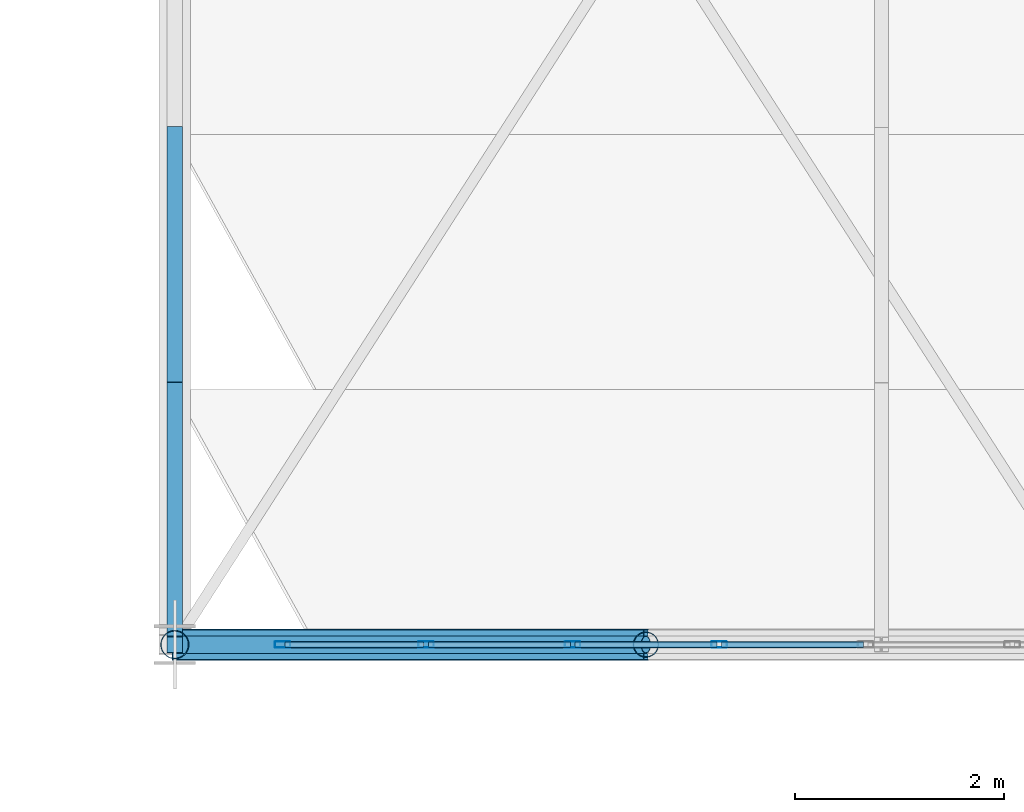
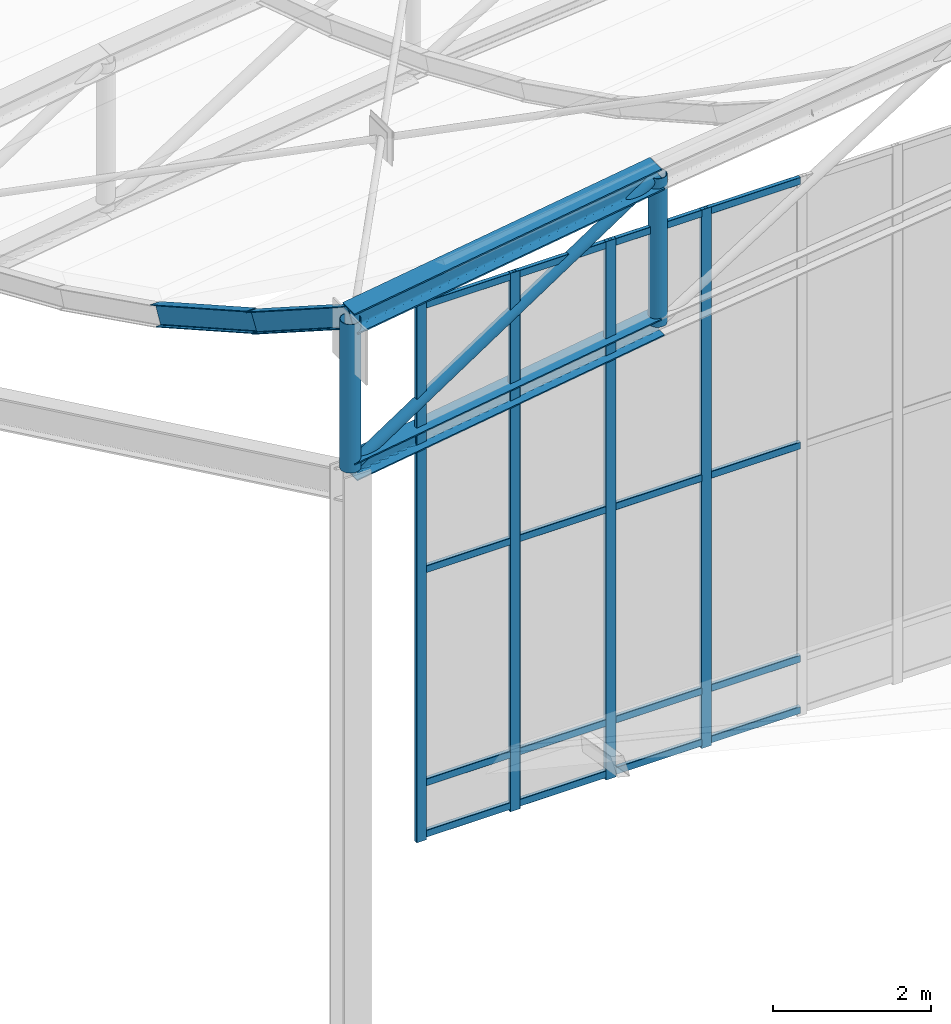
# One storey, part 136 of 262: 27 members, 1 element without a shape of its own.
"""IFC4 building model written with IfcOpenShell, lengths in metres."""

from ifc_helpers import new_model, si_unit, derived_unit, direction, frame, origin, origin_2d, place, context, subcontext, project, spatial, hollow_rectangle, hollow_circle, i_section, extrude, material, layer, layer_set, material_profile, profile_set, type_object, element, aggregate, save


model = new_model("IFC4")

# Units and contexts
model_context = context("Model", 3, precision=1e-05, world=origin(), true_north=direction((0.0, 1.0)))
body_context = subcontext(model_context, "Body", "Model", "MODEL_VIEW")
ifc_project = project(units=[si_unit("LENGTHUNIT", "METRE"), si_unit("AREAUNIT", "SQUARE_METRE"), si_unit("VOLUMEUNIT", "CUBIC_METRE"), si_unit("PLANEANGLEUNIT", "RADIAN"), si_unit("MASSUNIT", "GRAM", prefix="KILO"), derived_unit("THERMALTRANSMITTANCEUNIT", [(si_unit("POWERUNIT", "WATT"), 1), (si_unit("LENGTHUNIT", "METRE"), -2), (si_unit("THERMODYNAMICTEMPERATUREUNIT", "KELVIN"), -1)])], contexts=[model_context])

# Site, building, storey
site_placement = place(None, origin())
site = spatial("IfcSite", under=ifc_project, at=site_placement, CompositionType="ELEMENT")
building_placement = place(site_placement, origin())
building = spatial("IfcBuilding", under=site, at=building_placement, Name="Almenara Railside Exhibition Hall", CompositionType="ELEMENT")
storey_placement = place(building_placement, frame((0.0, 0.0, 21.699951171875)))
storey = spatial("IfcBuildingStorey", under=building, at=storey_placement, Name="RF", CompositionType="ELEMENT", Elevation=21.699951171875)

# Members
ifc_material_1 = material(Name="Structural steel S355JR", Category="steel")
ifc_material_profile_1 = material_profile(ifc_material_1, i_section(OverallWidth=0.280029296875, OverallDepth=0.280029296875, WebThickness=0.010498046875, FlangeThickness=0.01806640625, FilletRadius=0.02392578125, at=origin_2d()), Name="HEB 280")
ifc_profile_set_1 = profile_set([ifc_material_profile_1], Name="Structural steel S355JR")
member_type_1 = type_object("IfcMemberType", Name="Arched Gable Bottom Chord HEB 280 S355JR", PredefinedType="CHORD", material=ifc_profile_set_1)
member_1_placement = place(storey_placement, frame((138.0, 34.0, -0.599853515625), z_axis=(0.9890290442, 0.0, 0.147721189165), x_axis=(0.0, 1.0, 0.0)))
element("IfcMember", 1, at=member_1_placement, inside=storey, type_object=member_type_1, Name="MEM-BC-V2-00-00", PredefinedType="CHORD", context=body_context, shape_type="SweptSolid", body=[
    extrude(i_section(OverallWidth=0.280029296875, OverallDepth=0.280029296875, WebThickness=0.010498046875, FlangeThickness=0.01806640625, FilletRadius=0.02392578125, at=origin_2d()), origin(), (0.0, 0.0, 1.0), 4.5498046875),
])
ifc_material_profile_2 = material_profile(ifc_material_1, i_section(OverallWidth=0.300048828125, OverallDepth=0.340087890625, WebThickness=0.011962890625, FlangeThickness=0.021484375, FilletRadius=0.027099609375, at=origin_2d()), Name="HEB 340")
ifc_profile_set_2 = profile_set([ifc_material_profile_2], Name="Structural steel S355JR")
member_type_2 = type_object("IfcMemberType", Name="Arched Gable Top Chord HEB 340 S355JR", PredefinedType="CHORD", material=ifc_profile_set_2)
member_2_placement = place(storey_placement, frame((138.0, 34.0, 1.699951171875), z_axis=(0.989021203369, 0.0, 0.147773675894), x_axis=(0.0, 1.0, 0.0)))
element("IfcMember", 2, at=member_2_placement, inside=storey, type_object=member_type_2, Name="MEM-TC-V2-00-00", PredefinedType="CHORD", context=body_context, shape_type="SweptSolid", body=[
    extrude(i_section(OverallWidth=0.300048828125, OverallDepth=0.340087890625, WebThickness=0.011962890625, FlangeThickness=0.021484375, FilletRadius=0.027099609375, at=origin_2d()), origin(), (0.0, 0.0, 1.0), 4.550048828125),
])

# Curtain wall, members
ifc_material_2 = material(Name="Bronze-anodised aluminium and low-E double glazing", Category="aluminium")
ifc_layer = layer(ifc_material_2, 0.179931640625, Name="Bronze-anodised aluminium and low-E double glazing")
ifc_layer_set = layer_set([ifc_layer], Name="Bronze-anodised aluminium and low-E double glazing")
curtain_wall_type = type_object("IfcCurtainWallType", Name="Scroll Gable Standard Curtain Wall 3600x5000", PredefinedType="NOTDEFINED", material=ifc_layer_set)
curtain_wall_placement = place(storey_placement, origin())
curtain_wall = element("IfcCurtainWall", 3, at=curtain_wall_placement, inside=storey, type_object=curtain_wall_type, Name="Curtain wall CW-G2-214", PredefinedType="NOTDEFINED")
ifc_material_3 = material(Name="Bronze-anodised aluminium", Category="aluminium")
ifc_material_profile_3 = material_profile(ifc_material_3, hollow_rectangle(XDim=0.06005859375, YDim=0.14990234375, WallThickness=0.00341796875, InnerFilletRadius=0.00341796875, OuterFilletRadius=0.007080078125, at=origin_2d()), Name="ALU-MUL 60x150x3.5")
ifc_profile_set_3 = profile_set([ifc_material_profile_3], Name="Bronze-anodised aluminium")
member_type_3 = type_object("IfcMemberType", Name="Curtain Wall Mullion 60x150x3.5", PredefinedType="MULLION", material=ifc_profile_set_3)
member_3_placement = place(storey_placement, frame((139.030029296875, 34.0, -6.73486328125), z_axis=(0.0, 0.0, 1.0), x_axis=(0.0, 1.0, 0.0)))
member_3 = element("IfcMember", 4, at=member_3_placement, type_object=member_type_3, Name="CW-G2-214 mullion 1", PredefinedType="MULLION", context=body_context, shape_type="SweptSolid", body=[
    extrude(hollow_rectangle(XDim=0.06005859375, YDim=0.14990234375, WallThickness=0.00341796875, InnerFilletRadius=0.00341796875, OuterFilletRadius=0.007080078125, at=origin_2d()), origin(), (0.0, 0.0, 1.0), 8.3349609375),
])
member_4_placement = place(storey_placement, frame((140.39990234375, 34.0, -6.73486328125), z_axis=(0.0, 0.0, 1.0), x_axis=(0.0, 1.0, 0.0)))
member_4 = element("IfcMember", 5, at=member_4_placement, type_object=member_type_3, Name="CW-G2-214 mullion 2", PredefinedType="MULLION", context=body_context, shape_type="SweptSolid", body=[
    extrude(hollow_rectangle(XDim=0.06005859375, YDim=0.14990234375, WallThickness=0.00341796875, InnerFilletRadius=0.00341796875, OuterFilletRadius=0.007080078125, at=origin_2d()), origin(), (0.0, 0.0, 1.0), 8.3349609375),
])
member_5_placement = place(storey_placement, frame((141.800048828125, 34.0, -6.73486328125), z_axis=(0.0, 0.0, 1.0), x_axis=(0.0, 1.0, 0.0)))
member_5 = element("IfcMember", 6, at=member_5_placement, type_object=member_type_3, Name="CW-G2-214 mullion 3", PredefinedType="MULLION", context=body_context, shape_type="SweptSolid", body=[
    extrude(hollow_rectangle(XDim=0.06005859375, YDim=0.14990234375, WallThickness=0.00341796875, InnerFilletRadius=0.00341796875, OuterFilletRadius=0.007080078125, at=origin_2d()), origin(), (0.0, 0.0, 1.0), 8.3349609375),
])
member_6_placement = place(storey_placement, frame((143.199951171875, 34.0, -6.73486328125), z_axis=(0.0, 0.0, 1.0), x_axis=(0.0, 1.0, 0.0)))
member_6 = element("IfcMember", 7, at=member_6_placement, type_object=member_type_3, Name="CW-G2-214 mullion 4", PredefinedType="MULLION", context=body_context, shape_type="SweptSolid", body=[
    extrude(hollow_rectangle(XDim=0.06005859375, YDim=0.14990234375, WallThickness=0.00341796875, InnerFilletRadius=0.00341796875, OuterFilletRadius=0.007080078125, at=origin_2d()), origin(), (0.0, 0.0, 1.0), 8.3349609375),
])
ifc_material_profile_4 = material_profile(ifc_material_3, hollow_rectangle(XDim=0.06005859375, YDim=0.110107421875, WallThickness=0.0029296875, InnerFilletRadius=0.0029296875, OuterFilletRadius=0.006103515625, at=origin_2d()), Name="ALU-TRN 60x110x3")
ifc_profile_set_4 = profile_set([ifc_material_profile_4], Name="Bronze-anodised aluminium")
member_type_4 = type_object("IfcMemberType", Name="Curtain Wall Transom 60x110x3", PredefinedType="USERDEFINED", material=ifc_profile_set_4)
member_7_placement = place(storey_placement, frame((139.052001953125, 34.0, -6.64501953125), z_axis=(1.0, 0.0, 0.0), x_axis=(0.0, 1.0, 0.0)))
member_7 = element("IfcMember", 8, at=member_7_placement, type_object=member_type_4, Name="CW-G2-214 transom 1.1", ObjectType="TRANSOM", PredefinedType="USERDEFINED", context=body_context, shape_type="SweptSolid", body=[
    extrude(hollow_rectangle(XDim=0.06005859375, YDim=0.110107421875, WallThickness=0.0029296875, InnerFilletRadius=0.0029296875, OuterFilletRadius=0.006103515625, at=origin_2d()), origin(), (0.0, 0.0, 1.0), 1.325927734375),
])
member_8_placement = place(storey_placement, frame((139.052001953125, 34.0, -5.849853515625), z_axis=(1.0, 0.0, 0.0), x_axis=(0.0, 1.0, 0.0)))
member_8 = element("IfcMember", 9, at=member_8_placement, type_object=member_type_4, Name="CW-G2-214 transom 1.2", ObjectType="TRANSOM", PredefinedType="USERDEFINED", context=body_context, shape_type="SweptSolid", body=[
    extrude(hollow_rectangle(XDim=0.06005859375, YDim=0.110107421875, WallThickness=0.0029296875, InnerFilletRadius=0.0029296875, OuterFilletRadius=0.006103515625, at=origin_2d()), origin(), (0.0, 0.0, 1.0), 1.325927734375),
])
member_9_placement = place(storey_placement, frame((139.052001953125, 34.0, -2.550048828125), z_axis=(1.0, 0.0, 0.0), x_axis=(0.0, 1.0, 0.0)))
member_9 = element("IfcMember", 10, at=member_9_placement, type_object=member_type_4, Name="CW-G2-214 transom 1.3", ObjectType="TRANSOM", PredefinedType="USERDEFINED", context=body_context, shape_type="SweptSolid", body=[
    extrude(hollow_rectangle(XDim=0.06005859375, YDim=0.110107421875, WallThickness=0.0029296875, InnerFilletRadius=0.0029296875, OuterFilletRadius=0.006103515625, at=origin_2d()), origin(), (0.0, 0.0, 1.0), 1.325927734375),
])
member_10_placement = place(storey_placement, frame((139.052001953125, 34.0, 1.545166015625), z_axis=(1.0, 0.0, 0.0), x_axis=(0.0, 1.0, 0.0)))
member_10 = element("IfcMember", 11, at=member_10_placement, type_object=member_type_4, Name="CW-G2-214 transom 1.4", ObjectType="TRANSOM", PredefinedType="USERDEFINED", context=body_context, shape_type="SweptSolid", body=[
    extrude(hollow_rectangle(XDim=0.06005859375, YDim=0.110107421875, WallThickness=0.0029296875, InnerFilletRadius=0.0029296875, OuterFilletRadius=0.006103515625, at=origin_2d()), origin(), (0.0, 0.0, 1.0), 1.325927734375),
])
member_11_placement = place(storey_placement, frame((140.422119140625, 34.0, -6.64501953125), z_axis=(1.0, 0.0, 0.0), x_axis=(0.0, 1.0, 0.0)))
member_11 = element("IfcMember", 12, at=member_11_placement, type_object=member_type_4, Name="CW-G2-214 transom 2.1", ObjectType="TRANSOM", PredefinedType="USERDEFINED", context=body_context, shape_type="SweptSolid", body=[
    extrude(hollow_rectangle(XDim=0.06005859375, YDim=0.110107421875, WallThickness=0.0029296875, InnerFilletRadius=0.0029296875, OuterFilletRadius=0.006103515625, at=origin_2d()), origin(), (0.0, 0.0, 1.0), 1.35595703125),
])
member_12_placement = place(storey_placement, frame((140.422119140625, 34.0, -5.849853515625), z_axis=(1.0, 0.0, 0.0), x_axis=(0.0, 1.0, 0.0)))
member_12 = element("IfcMember", 13, at=member_12_placement, type_object=member_type_4, Name="CW-G2-214 transom 2.2", ObjectType="TRANSOM", PredefinedType="USERDEFINED", context=body_context, shape_type="SweptSolid", body=[
    extrude(hollow_rectangle(XDim=0.06005859375, YDim=0.110107421875, WallThickness=0.0029296875, InnerFilletRadius=0.0029296875, OuterFilletRadius=0.006103515625, at=origin_2d()), origin(), (0.0, 0.0, 1.0), 1.35595703125),
])
member_13_placement = place(storey_placement, frame((140.422119140625, 34.0, -2.550048828125), z_axis=(1.0, 0.0, 0.0), x_axis=(0.0, 1.0, 0.0)))
member_13 = element("IfcMember", 14, at=member_13_placement, type_object=member_type_4, Name="CW-G2-214 transom 2.3", ObjectType="TRANSOM", PredefinedType="USERDEFINED", context=body_context, shape_type="SweptSolid", body=[
    extrude(hollow_rectangle(XDim=0.06005859375, YDim=0.110107421875, WallThickness=0.0029296875, InnerFilletRadius=0.0029296875, OuterFilletRadius=0.006103515625, at=origin_2d()), origin(), (0.0, 0.0, 1.0), 1.35595703125),
])
member_14_placement = place(storey_placement, frame((140.422119140625, 34.0, 1.545166015625), z_axis=(1.0, 0.0, 0.0), x_axis=(0.0, 1.0, 0.0)))
member_14 = element("IfcMember", 15, at=member_14_placement, type_object=member_type_4, Name="CW-G2-214 transom 2.4", ObjectType="TRANSOM", PredefinedType="USERDEFINED", context=body_context, shape_type="SweptSolid", body=[
    extrude(hollow_rectangle(XDim=0.06005859375, YDim=0.110107421875, WallThickness=0.0029296875, InnerFilletRadius=0.0029296875, OuterFilletRadius=0.006103515625, at=origin_2d()), origin(), (0.0, 0.0, 1.0), 1.35595703125),
])
member_15_placement = place(storey_placement, frame((141.822021484375, 34.0, -6.64501953125), z_axis=(1.0, 0.0, 0.0), x_axis=(0.0, 1.0, 0.0)))
member_15 = element("IfcMember", 16, at=member_15_placement, type_object=member_type_4, Name="CW-G2-214 transom 3.1", ObjectType="TRANSOM", PredefinedType="USERDEFINED", context=body_context, shape_type="SweptSolid", body=[
    extrude(hollow_rectangle(XDim=0.06005859375, YDim=0.110107421875, WallThickness=0.0029296875, InnerFilletRadius=0.0029296875, OuterFilletRadius=0.006103515625, at=origin_2d()), origin(), (0.0, 0.0, 1.0), 1.35595703125),
])
member_16_placement = place(storey_placement, frame((141.822021484375, 34.0, -5.849853515625), z_axis=(1.0, 0.0, 0.0), x_axis=(0.0, 1.0, 0.0)))
member_16 = element("IfcMember", 17, at=member_16_placement, type_object=member_type_4, Name="CW-G2-214 transom 3.2", ObjectType="TRANSOM", PredefinedType="USERDEFINED", context=body_context, shape_type="SweptSolid", body=[
    extrude(hollow_rectangle(XDim=0.06005859375, YDim=0.110107421875, WallThickness=0.0029296875, InnerFilletRadius=0.0029296875, OuterFilletRadius=0.006103515625, at=origin_2d()), origin(), (0.0, 0.0, 1.0), 1.35595703125),
])
member_17_placement = place(storey_placement, frame((141.822021484375, 34.0, -2.550048828125), z_axis=(1.0, 0.0, 0.0), x_axis=(0.0, 1.0, 0.0)))
member_17 = element("IfcMember", 18, at=member_17_placement, type_object=member_type_4, Name="CW-G2-214 transom 3.3", ObjectType="TRANSOM", PredefinedType="USERDEFINED", context=body_context, shape_type="SweptSolid", body=[
    extrude(hollow_rectangle(XDim=0.06005859375, YDim=0.110107421875, WallThickness=0.0029296875, InnerFilletRadius=0.0029296875, OuterFilletRadius=0.006103515625, at=origin_2d()), origin(), (0.0, 0.0, 1.0), 1.35595703125),
])
member_18_placement = place(storey_placement, frame((141.822021484375, 34.0, 1.545166015625), z_axis=(1.0, 0.0, 0.0), x_axis=(0.0, 1.0, 0.0)))
member_18 = element("IfcMember", 19, at=member_18_placement, type_object=member_type_4, Name="CW-G2-214 transom 3.4", ObjectType="TRANSOM", PredefinedType="USERDEFINED", context=body_context, shape_type="SweptSolid", body=[
    extrude(hollow_rectangle(XDim=0.06005859375, YDim=0.110107421875, WallThickness=0.0029296875, InnerFilletRadius=0.0029296875, OuterFilletRadius=0.006103515625, at=origin_2d()), origin(), (0.0, 0.0, 1.0), 1.35595703125),
])
member_19_placement = place(storey_placement, frame((143.221923828125, 34.0, -6.64501953125), z_axis=(1.0, 0.0, 0.0), x_axis=(0.0, 1.0, 0.0)))
member_19 = element("IfcMember", 20, at=member_19_placement, type_object=member_type_4, Name="CW-G2-214 transom 4.1", ObjectType="TRANSOM", PredefinedType="USERDEFINED", context=body_context, shape_type="SweptSolid", body=[
    extrude(hollow_rectangle(XDim=0.06005859375, YDim=0.110107421875, WallThickness=0.0029296875, InnerFilletRadius=0.0029296875, OuterFilletRadius=0.006103515625, at=origin_2d()), origin(), (0.0, 0.0, 1.0), 1.35595703125),
])
member_20_placement = place(storey_placement, frame((143.221923828125, 34.0, -5.849853515625), z_axis=(1.0, 0.0, 0.0), x_axis=(0.0, 1.0, 0.0)))
member_20 = element("IfcMember", 21, at=member_20_placement, type_object=member_type_4, Name="CW-G2-214 transom 4.2", ObjectType="TRANSOM", PredefinedType="USERDEFINED", context=body_context, shape_type="SweptSolid", body=[
    extrude(hollow_rectangle(XDim=0.06005859375, YDim=0.110107421875, WallThickness=0.0029296875, InnerFilletRadius=0.0029296875, OuterFilletRadius=0.006103515625, at=origin_2d()), origin(), (0.0, 0.0, 1.0), 1.35595703125),
])
member_21_placement = place(storey_placement, frame((143.221923828125, 34.0, -2.550048828125), z_axis=(1.0, 0.0, 0.0), x_axis=(0.0, 1.0, 0.0)))
member_21 = element("IfcMember", 22, at=member_21_placement, type_object=member_type_4, Name="CW-G2-214 transom 4.3", ObjectType="TRANSOM", PredefinedType="USERDEFINED", context=body_context, shape_type="SweptSolid", body=[
    extrude(hollow_rectangle(XDim=0.06005859375, YDim=0.110107421875, WallThickness=0.0029296875, InnerFilletRadius=0.0029296875, OuterFilletRadius=0.006103515625, at=origin_2d()), origin(), (0.0, 0.0, 1.0), 1.35595703125),
])
member_22_placement = place(storey_placement, frame((143.221923828125, 34.0, 1.545166015625), z_axis=(1.0, 0.0, 0.0), x_axis=(0.0, 1.0, 0.0)))
member_22 = element("IfcMember", 23, at=member_22_placement, type_object=member_type_4, Name="CW-G2-214 transom 4.4", ObjectType="TRANSOM", PredefinedType="USERDEFINED", context=body_context, shape_type="SweptSolid", body=[
    extrude(hollow_rectangle(XDim=0.06005859375, YDim=0.110107421875, WallThickness=0.0029296875, InnerFilletRadius=0.0029296875, OuterFilletRadius=0.006103515625, at=origin_2d()), origin(), (0.0, 0.0, 1.0), 1.35595703125),
])
aggregate(curtain_wall, [member_3, member_4, member_5, member_6, member_7, member_8, member_9, member_10, member_11, member_12, member_13, member_14, member_15, member_16, member_17, member_18, member_19, member_20, member_21, member_22])

# Members
ifc_material_profile_5 = material_profile(ifc_material_1, i_section(OverallWidth=0.14990234375, OverallDepth=0.300048828125, WebThickness=0.007080078125, FlangeThickness=0.0107421875, FilletRadius=0.014892578125, at=origin_2d()), Name="IPE 300")
ifc_profile_set_5 = profile_set([ifc_material_profile_5], Name="Structural steel S355JR")
member_type_5 = type_object("IfcMemberType", Name="East Hall Ridge Purlin IPE 300 S355JR", PredefinedType="PURLIN", material=ifc_profile_set_5)
member_23_placement = place(storey_placement, frame((138.0, 34.0, 1.73388671875), z_axis=(0.0, 0.842265270347, -0.53906327492), x_axis=(-1.0, 0.0, 0.0)))
element("IfcMember", 24, at=member_23_placement, inside=storey, type_object=member_type_5, Name="MEM-PR-V2-PR-IPE300-00-00", PredefinedType="PURLIN", context=body_context, shape_type="SweptSolid", body=[
    extrude(i_section(OverallWidth=0.14990234375, OverallDepth=0.300048828125, WebThickness=0.007080078125, FlangeThickness=0.0107421875, FilletRadius=0.014892578125, at=origin_2d()), origin(), (0.0, 0.0, 1.0), 2.89306640625),
])
member_24_placement = place(storey_placement, frame((138.0, 36.436767578125, 0.18701171875), z_axis=(0.0, 0.870483227181, -0.492198081261), x_axis=(-1.0, 0.0, 0.0)))
element("IfcMember", 25, at=member_24_placement, inside=storey, type_object=member_type_5, Name="MEM-PR-V2-PR-IPE300-00-01", PredefinedType="PURLIN", context=body_context, shape_type="SweptSolid", body=[
    extrude(i_section(OverallWidth=0.14990234375, OverallDepth=0.300048828125, WebThickness=0.007080078125, FlangeThickness=0.0107421875, FilletRadius=0.014892578125, at=origin_2d()), origin(), (0.0, 0.0, 1.0), 2.799072265625),
])
ifc_material_profile_6 = material_profile(ifc_material_1, hollow_circle(Radius=0.084228515625, WallThickness=0.006103515625, at=origin_2d()), Name="CHS 168.3x6")
ifc_profile_set_6 = profile_set([ifc_material_profile_6], Name="Structural steel S355JR")
member_type_6 = type_object("IfcMemberType", Name="Truss End Diagonal CHS 168.3x6 S355JR", PredefinedType="BRACE", material=ifc_profile_set_6)
member_25_placement = place(storey_placement, frame((138.0, 34.0, -0.599853515625), z_axis=(0.834424544227, 0.0, 0.551122200598), x_axis=(0.0, 1.0, 0.0)))
element("IfcMember", 26, at=member_25_placement, inside=storey, type_object=member_type_6, Name="MEM-TD-V2-00-00", PredefinedType="BRACE", context=body_context, shape_type="SweptSolid", body=[
    extrude(hollow_circle(Radius=0.084228515625, WallThickness=0.006103515625, at=origin_2d()), origin(), (0.0, 0.0, 1.0), 5.392822265625),
])
ifc_material_profile_7 = material_profile(ifc_material_1, hollow_circle(Radius=0.122314453125, WallThickness=0.008056640625, at=origin_2d()), Name="CHS 244.5x8")
ifc_profile_set_7 = profile_set([ifc_material_profile_7], Name="Structural steel S355JR")
member_type_7 = type_object("IfcMemberType", Name="Truss Haunch Vertical Strut CHS 244.5x8 S355JR", PredefinedType="BRACE", material=ifc_profile_set_7)
member_26_placement = place(storey_placement, frame((142.5, 34.0, 0.072265625), z_axis=(0.0, 0.0, 1.0), x_axis=(1.0, 0.0, 0.0)))
element("IfcMember", 27, at=member_26_placement, inside=storey, type_object=member_type_7, Name="MEM-TV-V2-00-01", PredefinedType="BRACE", context=body_context, shape_type="SweptSolid", body=[
    extrude(hollow_circle(Radius=0.122314453125, WallThickness=0.008056640625, at=origin_2d()), origin(), (0.0, 0.0, 1.0), 2.300048828125),
])
ifc_material_profile_8 = material_profile(ifc_material_1, hollow_circle(Radius=0.136474609375, WallThickness=0.008056640625, at=origin_2d()), Name="CHS 273x8")
ifc_profile_set_8 = profile_set([ifc_material_profile_8], Name="Structural steel S355JR")
member_type_8 = type_object("IfcMemberType", Name="Truss Support Vertical Strut CHS 273x8 S355JR", PredefinedType="BRACE", material=ifc_profile_set_8)
member_27_placement = place(storey_placement, frame((138.0, 34.0, -0.599853515625), z_axis=(0.0, 0.0, 1.0), x_axis=(1.0, 0.0, 0.0)))
element("IfcMember", 28, at=member_27_placement, inside=storey, type_object=member_type_8, Name="MEM-TV-V2-00-00", PredefinedType="BRACE", context=body_context, shape_type="SweptSolid", body=[
    extrude(hollow_circle(Radius=0.136474609375, WallThickness=0.008056640625, at=origin_2d()), origin(), (0.0, 0.0, 1.0), 2.2998046875),
])

save(model, "model.ifc")
